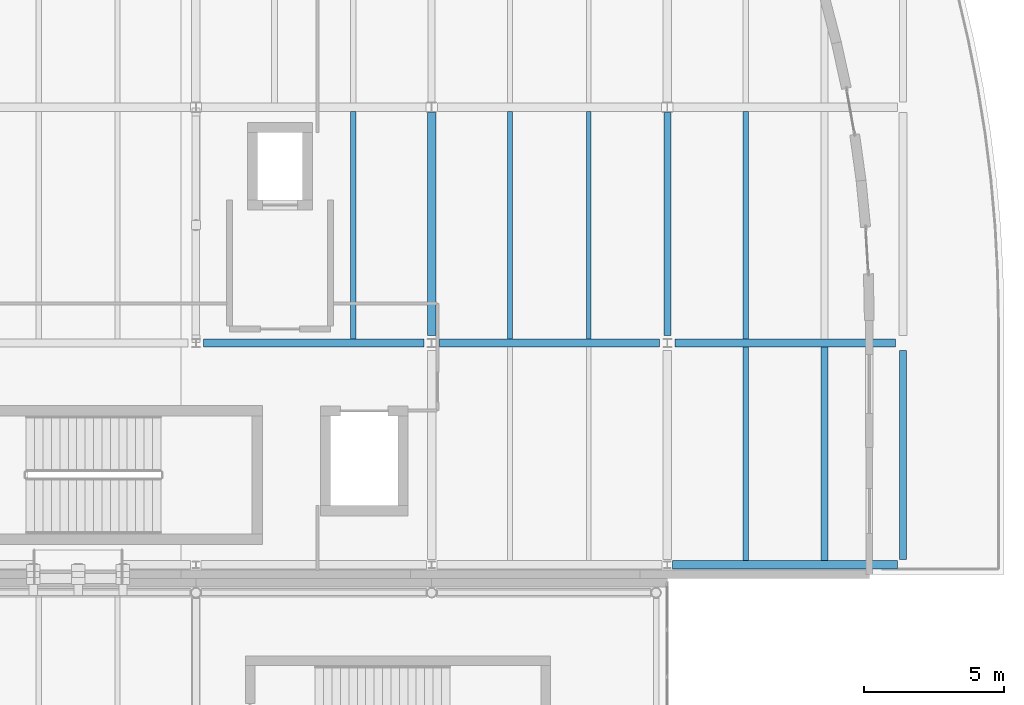
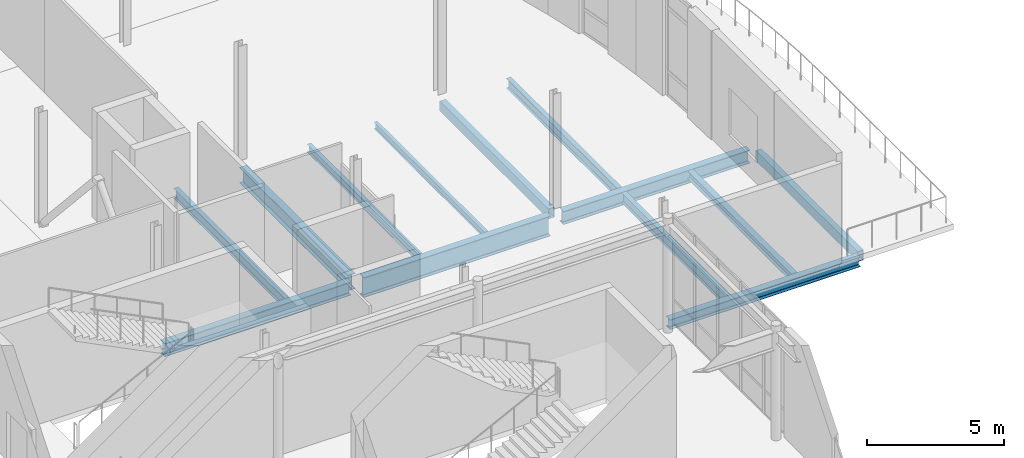
# One storey, part 50 of 91: 13 beams.
"""IFC4 building model written with IfcOpenShell, lengths in metres."""

from ifc_helpers import new_model, si_unit, direction, frame, origin, origin_2d, place, context, subcontext, project, spatial, hollow_rectangle, i_section, extrude, material, material_profile, profile_set, type_object, element, save


model = new_model("IFC4")

# Units and contexts
model_context = context("Model", 3, precision=1e-05, world=origin(), true_north=direction((0.0, 1.0)))
body_context = subcontext(model_context, "Body", "Model", "MODEL_VIEW")
ifc_project = project(units=[si_unit("LENGTHUNIT", "METRE"), si_unit("AREAUNIT", "SQUARE_METRE"), si_unit("VOLUMEUNIT", "CUBIC_METRE"), si_unit("PLANEANGLEUNIT", "RADIAN"), si_unit("MASSUNIT", "GRAM", prefix="KILO"), si_unit("THERMODYNAMICTEMPERATUREUNIT", "KELVIN")], contexts=[model_context])

# Site, building, storey
site_placement = place(None, origin())
site = spatial("IfcSite", under=ifc_project, at=site_placement, CompositionType="ELEMENT")
building_placement = place(site_placement, origin())
building = spatial("IfcBuilding", under=site, at=building_placement, Name="Lustrewick Department Store", CompositionType="ELEMENT")
storey_placement = place(building_placement, frame((0.0, 0.0, 21.60009765625)))
storey = spatial("IfcBuildingStorey", under=building, at=storey_placement, Name="L05", CompositionType="ELEMENT", Elevation=21.60009765625)

# Beams
ifc_material_1 = material(Name="Structural steel Q355B", Category="steel")
ifc_material_profile_1 = material_profile(ifc_material_1, i_section(OverallWidth=0.198974609375, OverallDepth=0.446044921875, WebThickness=0.008056640625, FlangeThickness=0.011962890625, FilletRadius=0.01611328125, at=origin_2d()), Name="HN 446x199x8x12")
ifc_profile_set_1 = profile_set([ifc_material_profile_1], Name="Structural steel Q355B")
beam_type_1 = type_object("IfcBeamType", Name="B04", PredefinedType="JOIST", material=ifc_profile_set_1)
beam_1_placement = place(storey_placement, frame((154.0, 51.050048828125, -0.47802734375), z_axis=(0.0, 1.0, 0.0), x_axis=(-1.0, 0.0, 0.0)))
element("IfcBeam", 1, at=beam_1_placement, inside=storey, type_object=beam_type_1, Name="L05 V4 Secondary Joist B04", PredefinedType="JOIST", context=body_context, shape_type="SweptSolid", body=[
    extrude(i_section(OverallWidth=0.198974609375, OverallDepth=0.446044921875, WebThickness=0.008056640625, FlangeThickness=0.011962890625, FilletRadius=0.01611328125, at=origin_2d()), origin(), (0.0, 0.0, 1.0), 7.599853515625),
])
beam_2_placement = place(storey_placement, frame((140.0, 58.949951171875, -0.47802734375), z_axis=(0.0, 1.0, 0.0), x_axis=(-1.0, 0.0, 0.0)))
element("IfcBeam", 2, at=beam_2_placement, inside=storey, type_object=beam_type_1, Name="L05 V4 Secondary Joist B04", PredefinedType="JOIST", context=body_context, shape_type="SweptSolid", body=[
    extrude(i_section(OverallWidth=0.198974609375, OverallDepth=0.446044921875, WebThickness=0.008056640625, FlangeThickness=0.011962890625, FilletRadius=0.01611328125, at=origin_2d()), origin(), (0.0, 0.0, 1.0), 8.1005859375),
])
beam_3_placement = place(storey_placement, frame((154.0, 58.949951171875, -0.47802734375), z_axis=(0.0, 1.0, 0.0), x_axis=(-1.0, 0.0, 0.0)))
element("IfcBeam", 3, at=beam_3_placement, inside=storey, type_object=beam_type_1, Name="L05 V4 Secondary Joist B04", PredefinedType="JOIST", context=body_context, shape_type="SweptSolid", body=[
    extrude(i_section(OverallWidth=0.198974609375, OverallDepth=0.446044921875, WebThickness=0.008056640625, FlangeThickness=0.011962890625, FilletRadius=0.01611328125, at=origin_2d()), origin(), (0.0, 0.0, 1.0), 8.10009765625),
])
ifc_material_profile_2 = material_profile(ifc_material_1, i_section(OverallWidth=0.25, OverallDepth=0.340087890625, WebThickness=0.009033203125, FlangeThickness=0.013916015625, FilletRadius=0.01611328125, at=origin_2d()), Name="HM 340x250x9x14")
ifc_profile_set_2 = profile_set([ifc_material_profile_2], Name="Structural steel Q355B")
beam_type_2 = type_object("IfcBeamType", Name="B08", PredefinedType="JOIST", material=ifc_profile_set_2)
beam_4_placement = place(storey_placement, frame((156.800048828125, 51.050048828125, -0.425048828125), z_axis=(0.0, 1.0, 0.0), x_axis=(-1.0, 0.0, 0.0)))
element("IfcBeam", 4, at=beam_4_placement, inside=storey, type_object=beam_type_2, Name="L05 V4 Secondary Joist B08", PredefinedType="JOIST", context=body_context, shape_type="SweptSolid", body=[
    extrude(i_section(OverallWidth=0.25, OverallDepth=0.340087890625, WebThickness=0.009033203125, FlangeThickness=0.013916015625, FilletRadius=0.01611328125, at=origin_2d()), origin(), (0.0, 0.0, 1.0), 7.599853515625),
])
ifc_material_profile_3 = material_profile(ifc_material_1, i_section(OverallWidth=0.175048828125, OverallDepth=0.35009765625, WebThickness=0.007080078125, FlangeThickness=0.010986328125, FilletRadius=0.012939453125, at=origin_2d()), Name="HN 350x175x7x11")
ifc_profile_set_3 = profile_set([ifc_material_profile_3], Name="Structural steel Q355B")
beam_type_3 = type_object("IfcBeamType", Name="B09", PredefinedType="JOIST", material=ifc_profile_set_3)
beam_5_placement = place(storey_placement, frame((145.60009765625, 58.949462890625, -0.43017578125), z_axis=(0.0, 1.0, 0.0), x_axis=(-1.0, 0.0, 0.0)))
element("IfcBeam", 5, at=beam_5_placement, inside=storey, type_object=beam_type_3, Name="L05 V4 Secondary Joist B09", PredefinedType="JOIST", context=body_context, shape_type="SweptSolid", body=[
    extrude(i_section(OverallWidth=0.175048828125, OverallDepth=0.35009765625, WebThickness=0.007080078125, FlangeThickness=0.010986328125, FilletRadius=0.012939453125, at=origin_2d()), origin(), (0.0, 0.0, 1.0), 8.1005859375),
])
ifc_material_profile_4 = material_profile(ifc_material_1, i_section(OverallWidth=0.14892578125, OverallDepth=0.298095703125, WebThickness=0.005615234375, FlangeThickness=0.008056640625, FilletRadius=0.011962890625, at=origin_2d()), Name="HN 298x149x5.5x8")
ifc_profile_set_4 = profile_set([ifc_material_profile_4], Name="Structural steel Q355B")
beam_type_4 = type_object("IfcBeamType", Name="B12", PredefinedType="JOIST", material=ifc_profile_set_4)
beam_6_placement = place(storey_placement, frame((148.39990234375, 58.949462890625, -0.404052734375), z_axis=(0.0, 1.0, 0.0), x_axis=(-1.0, 0.0, 0.0)))
element("IfcBeam", 6, at=beam_6_placement, inside=storey, type_object=beam_type_4, Name="L05 V4 Secondary Joist B12", PredefinedType="JOIST", context=body_context, shape_type="SweptSolid", body=[
    extrude(i_section(OverallWidth=0.14892578125, OverallDepth=0.298095703125, WebThickness=0.005615234375, FlangeThickness=0.008056640625, FilletRadius=0.011962890625, at=origin_2d()), origin(), (0.0, 0.0, 1.0), 8.1005859375),
])
ifc_material_2 = material(Name="Structural steel Q355C", Category="steel")
ifc_material_profile_5 = material_profile(ifc_material_2, i_section(OverallWidth=0.299072265625, OverallDepth=0.889892578125, WebThickness=0.014892578125, FlangeThickness=0.02294921875, FilletRadius=0.02392578125, at=origin_2d()), Name="HN 890x299x15x23")
ifc_profile_set_5 = profile_set([ifc_material_profile_5], Name="Structural steel Q355C")
beam_type_5 = type_object("IfcBeamType", Name="G03", PredefinedType="BEAM", material=ifc_profile_set_5)
beam_7_placement = place(storey_placement, frame((143.074951171875, 58.800048828125, -0.7001953125), z_axis=(1.0, 0.0, 0.0), x_axis=(0.0, 1.0, 0.0)))
element("IfcBeam", 7, at=beam_7_placement, inside=storey, type_object=beam_type_5, Name="L05 V4 Girder G03", PredefinedType="BEAM", context=body_context, shape_type="SweptSolid", body=[
    extrude(i_section(OverallWidth=0.299072265625, OverallDepth=0.889892578125, WebThickness=0.014892578125, FlangeThickness=0.02294921875, FilletRadius=0.02392578125, at=origin_2d()), origin(), (0.0, 0.0, 1.0), 7.85009765625),
])
ifc_material_profile_6 = material_profile(ifc_material_1, i_section(OverallWidth=0.300048828125, OverallDepth=0.699951171875, WebThickness=0.012939453125, FlangeThickness=0.02392578125, FilletRadius=0.02001953125, at=origin_2d()), Name="HN 700x300x13x24")
ifc_profile_set_6 = profile_set([ifc_material_profile_6], Name="Structural steel Q355B")
beam_type_6 = type_object("IfcBeamType", Name="G08", PredefinedType="BEAM", material=ifc_profile_set_6)
beam_8_placement = place(storey_placement, frame((142.800048828125, 59.074951171875, -0.60498046875), z_axis=(0.0, 1.0, 0.0), x_axis=(-1.0, 0.0, 0.0)))
element("IfcBeam", 8, at=beam_8_placement, inside=storey, type_object=beam_type_6, Name="L05 V4 Girder G08", PredefinedType="BEAM", context=body_context, shape_type="SweptSolid", body=[
    extrude(i_section(OverallWidth=0.300048828125, OverallDepth=0.699951171875, WebThickness=0.012939453125, FlangeThickness=0.02392578125, FilletRadius=0.02001953125, at=origin_2d()), origin(), (0.0, 0.0, 1.0), 7.93115234375),
])
ifc_material_profile_7 = material_profile(ifc_material_1, i_section(OverallWidth=0.300048828125, OverallDepth=0.587890625, WebThickness=0.011962890625, FlangeThickness=0.02001953125, FilletRadius=0.02392578125, at=origin_2d()), Name="HM 588x300x12x20")
ifc_profile_set_7 = profile_set([ifc_material_profile_7], Name="Structural steel Q355B")
beam_type_7 = type_object("IfcBeamType", Name="G11", PredefinedType="BEAM", material=ifc_profile_set_7)
for number, where, z_axis, x_axis, name in (
    (9, (134.675048828125, 58.800048828125, -0.549072265625), (1.0, 0.0, 0.0), (0.0, 1.0, 0.0), "L05 V4 Girder G11"),
    (10, (151.47509765625, 58.800048828125, -0.549072265625), (1.0, 0.0, 0.0), (0.0, 1.0, 0.0), "L05 V4 Girder G11"),
):
    element("IfcBeam", number, at=place(storey_placement, frame(where, z_axis=z_axis, x_axis=x_axis)), inside=storey, type_object=beam_type_7, Name=name, PredefinedType="BEAM", context=body_context, shape_type="SweptSolid", body=[
        extrude(i_section(OverallWidth=0.300048828125, OverallDepth=0.587890625, WebThickness=0.011962890625, FlangeThickness=0.02001953125, FilletRadius=0.02392578125, at=origin_2d()), origin(), (0.0, 0.0, 1.0), 7.849853515625),
    ])
ifc_material_profile_8 = material_profile(ifc_material_2, hollow_rectangle(XDim=0.25, YDim=0.449951171875, WallThickness=0.013916015625, at=origin_2d()), Name="RHS 450x250x14")
ifc_profile_set_8 = profile_set([ifc_material_profile_8], Name="Structural steel Q355C")
beam_type_8 = type_object("IfcBeamType", Name="G18", PredefinedType="BEAM", material=ifc_profile_set_8)
beam_9_placement = place(storey_placement, frame((151.199951171875, 59.074951171875, -0.47998046875), z_axis=(0.0, 1.0, 0.0), x_axis=(-1.0, 0.0, 0.0)))
element("IfcBeam", 11, at=beam_9_placement, inside=storey, type_object=beam_type_8, Name="L05 V4 Girder G18", PredefinedType="BEAM", context=body_context, shape_type="SweptSolid", body=[
    extrude(hollow_rectangle(XDim=0.25, YDim=0.449951171875, WallThickness=0.013916015625, at=origin_2d()), origin(), (0.0, 0.0, 1.0), 7.93115234375),
])
beam_10_placement = place(storey_placement, frame((159.60009765625, 51.08837890625, -0.47998046875), z_axis=(0.0, 1.0, 0.0), x_axis=(-1.0, 0.0, 0.0)))
element("IfcBeam", 12, at=beam_10_placement, inside=storey, type_object=beam_type_8, Name="L05 V4 Girder G18", PredefinedType="BEAM", context=body_context, shape_type="SweptSolid", body=[
    extrude(hollow_rectangle(XDim=0.25, YDim=0.449951171875, WallThickness=0.013916015625, at=origin_2d()), origin(), (0.0, 0.0, 1.0), 7.4365234375),
])
ifc_material_profile_9 = material_profile(ifc_material_1, i_section(OverallWidth=0.300048828125, OverallDepth=0.43994140625, WebThickness=0.010986328125, FlangeThickness=0.01806640625, FilletRadius=0.02001953125, at=origin_2d()), Name="HM 440x300x11x18")
ifc_profile_set_9 = profile_set([ifc_material_profile_9], Name="Structural steel Q355B")
beam_type_9 = type_object("IfcBeamType", Name="SP02", PredefinedType="SPANDREL", material=ifc_profile_set_9)
beam_11_placement = place(storey_placement, frame((151.388427734375, 50.89990234375, -0.47509765625), z_axis=(1.0, 0.0, 0.0), x_axis=(0.0, 1.0, 0.0)))
element("IfcBeam", 13, at=beam_11_placement, inside=storey, type_object=beam_type_9, Name="L05 V4 Girder SP02", PredefinedType="SPANDREL", context=body_context, shape_type="SweptSolid", body=[
    extrude(i_section(OverallWidth=0.300048828125, OverallDepth=0.43994140625, WebThickness=0.010986328125, FlangeThickness=0.01806640625, FilletRadius=0.02001953125, at=origin_2d()), origin(), (0.0, 0.0, 1.0), 8.023193359375),
])

save(model, "model.ifc")
